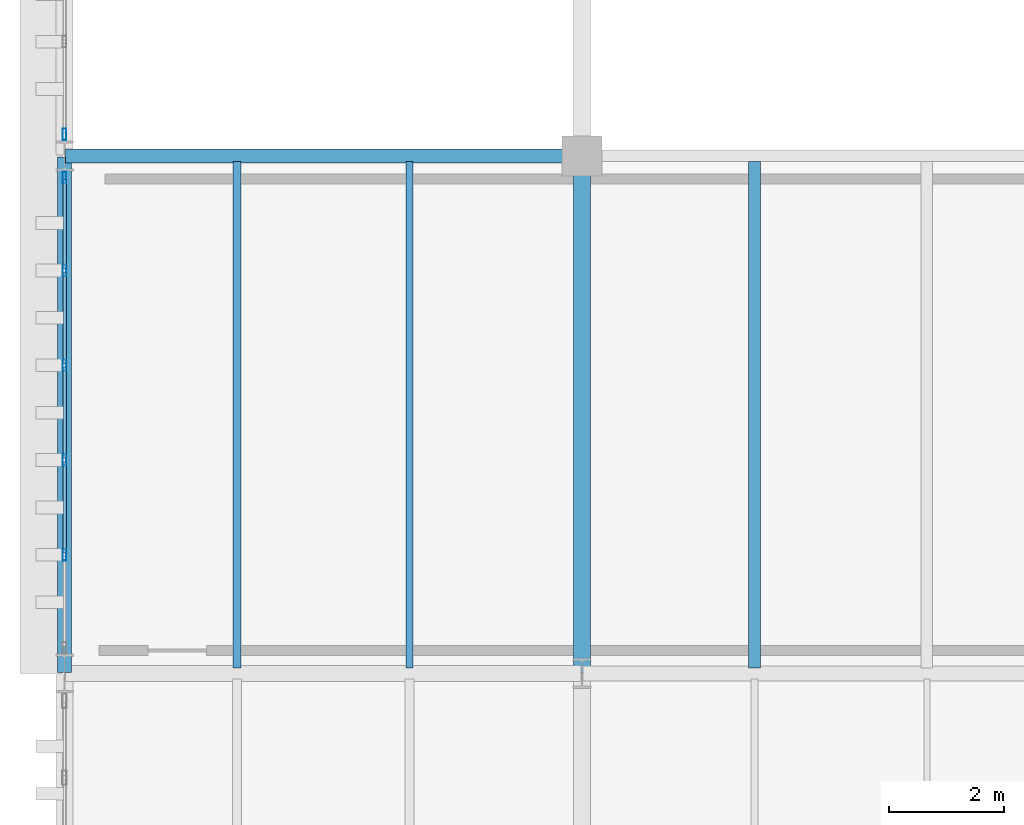
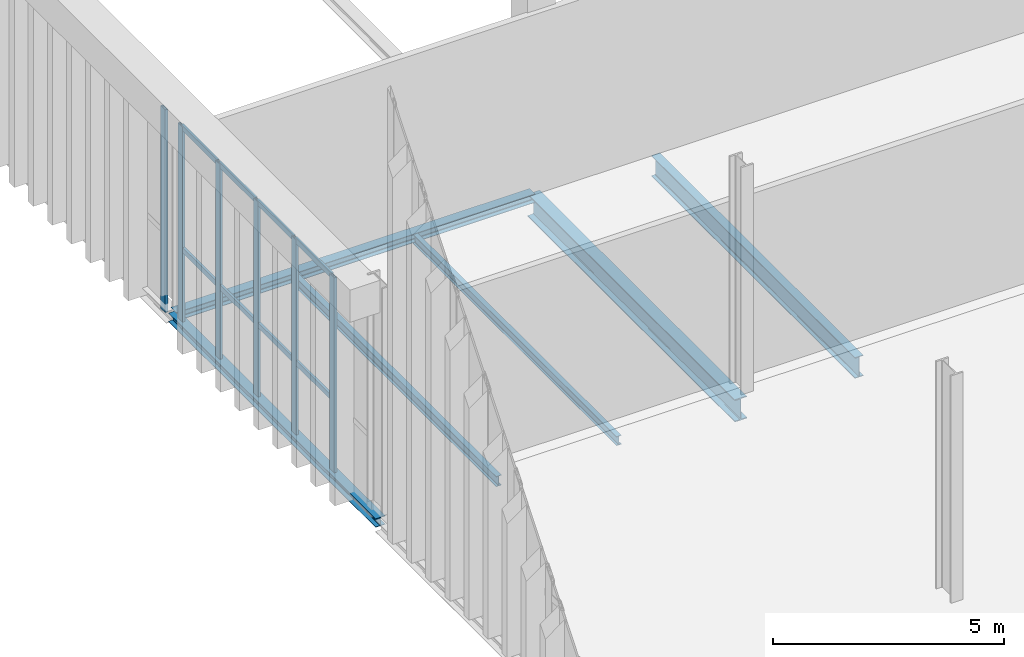
# One storey, part 65 of 237: 18 members, 6 beams, 2 elements without a shape of their own.
"""IFC4 building model written with IfcOpenShell, lengths in metres."""

from ifc_helpers import new_model, si_unit, direction, frame, origin, origin_2d, place, context, subcontext, project, spatial, hollow_rectangle, i_section, extrude, material, layer, layer_set, material_profile, profile_set, type_object, element, aggregate, save


model = new_model("IFC4")

# Units and contexts
model_context = context("Model", 3, precision=1e-05, world=origin(), true_north=direction((0.0, 1.0)))
body_context = subcontext(model_context, "Body", "Model", "MODEL_VIEW")
ifc_project = project(units=[si_unit("LENGTHUNIT", "METRE"), si_unit("AREAUNIT", "SQUARE_METRE"), si_unit("VOLUMEUNIT", "CUBIC_METRE"), si_unit("PLANEANGLEUNIT", "RADIAN"), si_unit("MASSUNIT", "GRAM", prefix="KILO")], contexts=[model_context])

# Site, building, storey
site_placement = place(None, origin())
site = spatial("IfcSite", under=ifc_project, at=site_placement, CompositionType="ELEMENT")
building_placement = place(site_placement, origin())
building = spatial("IfcBuilding", under=site, at=building_placement, Name="Barlavento Convention Centre", CompositionType="ELEMENT")
storey_placement = place(building_placement, frame((0.0, 0.0, 12.0)))
storey = spatial("IfcBuildingStorey", under=building, at=storey_placement, Name="L02", CompositionType="ELEMENT", Elevation=12.0)

# Curtain wall, members
ifc_material_1 = material(Name="Powder-coated aluminium and Low-E glass", Category="aluminium")
ifc_layer = layer(ifc_material_1, 0.18505859375)
ifc_layer_set = layer_set([ifc_layer], Name="ARC-CW-EXH-L02")
curtain_wall_type = type_object("IfcCurtainWallType", Name="ARC-CW-EXH-L02", PredefinedType="NOTDEFINED", material=ifc_layer_set)
curtain_wall_1_placement = place(storey_placement, origin())
curtain_wall_1 = element("IfcCurtainWall", 1, at=curtain_wall_1_placement, inside=storey, type_object=curtain_wall_type, Name="L02 unitised curtain wall CW05", PredefinedType="NOTDEFINED")
ifc_material_2 = material(Name="Powder-coated aluminium", Category="aluminium")
ifc_material_profile_1 = material_profile(ifc_material_2, hollow_rectangle(XDim=0.06494140625, YDim=0.199951171875, WallThickness=0.0048828125, at=origin_2d()), Name="AL-MULL 65x200x5")
ifc_profile_set_1 = profile_set([ifc_material_profile_1], Name="Powder-coated aluminium")
member_type_1 = type_object("IfcMemberType", Name="ARC-CWM-65X200", PredefinedType="MULLION", material=ifc_profile_set_1)
member_1_placement = place(storey_placement, frame((0.0, 56.062744140625, -0.5), z_axis=(0.0, 0.0, 1.0), x_axis=(-1.0, 0.0, 0.0)))
member_1 = element("IfcMember", 2, at=member_1_placement, type_object=member_type_1, Name="CW05 mullion 2", PredefinedType="MULLION", context=body_context, shape_type="SweptSolid", body=[
    extrude(hollow_rectangle(XDim=0.06494140625, YDim=0.199951171875, WallThickness=0.0048828125, at=origin_2d()), origin(), (0.0, 0.0, 1.0), 5.35009765625),
])
member_2_placement = place(storey_placement, frame((0.0, 57.711669921875, -0.5), z_axis=(0.0, 0.0, 1.0), x_axis=(-1.0, 0.0, 0.0)))
member_2 = element("IfcMember", 3, at=member_2_placement, type_object=member_type_1, Name="CW05 mullion 3", PredefinedType="MULLION", context=body_context, shape_type="SweptSolid", body=[
    extrude(hollow_rectangle(XDim=0.06494140625, YDim=0.199951171875, WallThickness=0.0048828125, at=origin_2d()), origin(), (0.0, 0.0, 1.0), 5.35009765625),
])
member_3_placement = place(storey_placement, frame((0.0, 59.3603515625, -0.5), z_axis=(0.0, 0.0, 1.0), x_axis=(-1.0, 0.0, 0.0)))
member_3 = element("IfcMember", 4, at=member_3_placement, type_object=member_type_1, Name="CW05 mullion 4", PredefinedType="MULLION", context=body_context, shape_type="SweptSolid", body=[
    extrude(hollow_rectangle(XDim=0.06494140625, YDim=0.199951171875, WallThickness=0.0048828125, at=origin_2d()), origin(), (0.0, 0.0, 1.0), 5.35009765625),
])
member_4_placement = place(storey_placement, frame((0.0, 61.00927734375, -0.5), z_axis=(0.0, 0.0, 1.0), x_axis=(-1.0, 0.0, 0.0)))
member_4 = element("IfcMember", 5, at=member_4_placement, type_object=member_type_1, Name="CW05 mullion 5", PredefinedType="MULLION", context=body_context, shape_type="SweptSolid", body=[
    extrude(hollow_rectangle(XDim=0.06494140625, YDim=0.199951171875, WallThickness=0.0048828125, at=origin_2d()), origin(), (0.0, 0.0, 1.0), 5.35009765625),
])
member_5_placement = place(storey_placement, frame((0.0, 62.62548828125, -0.5), z_axis=(0.0, 0.0, 1.0), x_axis=(-1.0, 0.0, 0.0)))
member_5 = element("IfcMember", 6, at=member_5_placement, type_object=member_type_1, Name="CW05 mullion 6", PredefinedType="MULLION", context=body_context, shape_type="SweptSolid", body=[
    extrude(hollow_rectangle(XDim=0.06494140625, YDim=0.199951171875, WallThickness=0.0048828125, at=origin_2d()), origin(), (0.0, 0.0, 1.0), 5.35009765625),
])

# Curtain wall, member
curtain_wall_2_placement = place(storey_placement, origin())
curtain_wall_2 = element("IfcCurtainWall", 7, at=curtain_wall_2_placement, inside=storey, type_object=curtain_wall_type, Name="L02 unitised curtain wall CW05", PredefinedType="NOTDEFINED")
member_6_placement = place(storey_placement, frame((0.0, 63.37451171875, -0.5), z_axis=(0.0, 0.0, 1.0), x_axis=(-1.0, 0.0, 0.0)))
member_6 = element("IfcMember", 8, at=member_6_placement, type_object=member_type_1, Name="CW05 mullion 1", PredefinedType="MULLION", context=body_context, shape_type="SweptSolid", body=[
    extrude(hollow_rectangle(XDim=0.06494140625, YDim=0.199951171875, WallThickness=0.0048828125, at=origin_2d()), origin(), (0.0, 0.0, 1.0), 5.35009765625),
])
aggregate(curtain_wall_2, [member_6])

# Member
ifc_material_profile_2 = material_profile(ifc_material_2, hollow_rectangle(XDim=0.06005859375, YDim=0.139892578125, WallThickness=0.00390625, at=origin_2d()), Name="AL-TRAN 60x140x4")
ifc_profile_set_2 = profile_set([ifc_material_profile_2], Name="Powder-coated aluminium")
member_type_2 = type_object("IfcMemberType", Name="ARC-CWT-60X140", PredefinedType="USERDEFINED", material=ifc_profile_set_2)
member_7_placement = place(storey_placement, frame((0.0, 56.09521484375, -0.469970703125), z_axis=(0.0, 1.0, 0.0), x_axis=(-1.0, 0.0, 0.0)))
member_7 = element("IfcMember", 9, at=member_7_placement, type_object=member_type_2, Name="CW05 transom 2.1", ObjectType="TRANSOM", PredefinedType="USERDEFINED", context=body_context, shape_type="SweptSolid", body=[
    extrude(hollow_rectangle(XDim=0.06005859375, YDim=0.139892578125, WallThickness=0.00390625, at=origin_2d()), origin(), (0.0, 0.0, 1.0), 1.583984375),
])

member_8_placement = place(storey_placement, frame((0.0, 56.09521484375, 1.60009765625), z_axis=(0.0, 1.0, 0.0), x_axis=(-1.0, 0.0, 0.0)))
member_8 = element("IfcMember", 10, at=member_8_placement, type_object=member_type_2, Name="CW05 transom 2.2", ObjectType="TRANSOM", PredefinedType="USERDEFINED", context=body_context, shape_type="SweptSolid", body=[
    extrude(hollow_rectangle(XDim=0.06005859375, YDim=0.139892578125, WallThickness=0.00390625, at=origin_2d()), origin(), (0.0, 0.0, 1.0), 1.583984375),
])

member_9_placement = place(storey_placement, frame((0.0, 56.09521484375, 4.820068359375), z_axis=(0.0, 1.0, 0.0), x_axis=(-1.0, 0.0, 0.0)))
member_9 = element("IfcMember", 11, at=member_9_placement, type_object=member_type_2, Name="CW05 transom 2.3", ObjectType="TRANSOM", PredefinedType="USERDEFINED", context=body_context, shape_type="SweptSolid", body=[
    extrude(hollow_rectangle(XDim=0.06005859375, YDim=0.139892578125, WallThickness=0.00390625, at=origin_2d()), origin(), (0.0, 0.0, 1.0), 1.583984375),
])

member_10_placement = place(storey_placement, frame((0.0, 57.744140625, -0.469970703125), z_axis=(0.0, 1.0, 0.0), x_axis=(-1.0, 0.0, 0.0)))
member_10 = element("IfcMember", 12, at=member_10_placement, type_object=member_type_2, Name="CW05 transom 3.1", ObjectType="TRANSOM", PredefinedType="USERDEFINED", context=body_context, shape_type="SweptSolid", body=[
    extrude(hollow_rectangle(XDim=0.06005859375, YDim=0.139892578125, WallThickness=0.00390625, at=origin_2d()), origin(), (0.0, 0.0, 1.0), 1.583740234375),
])

member_11_placement = place(storey_placement, frame((0.0, 57.744140625, 1.60009765625), z_axis=(0.0, 1.0, 0.0), x_axis=(-1.0, 0.0, 0.0)))
member_11 = element("IfcMember", 13, at=member_11_placement, type_object=member_type_2, Name="CW05 transom 3.2", ObjectType="TRANSOM", PredefinedType="USERDEFINED", context=body_context, shape_type="SweptSolid", body=[
    extrude(hollow_rectangle(XDim=0.06005859375, YDim=0.139892578125, WallThickness=0.00390625, at=origin_2d()), origin(), (0.0, 0.0, 1.0), 1.583740234375),
])

member_12_placement = place(storey_placement, frame((0.0, 57.744140625, 4.820068359375), z_axis=(0.0, 1.0, 0.0), x_axis=(-1.0, 0.0, 0.0)))
member_12 = element("IfcMember", 14, at=member_12_placement, type_object=member_type_2, Name="CW05 transom 3.3", ObjectType="TRANSOM", PredefinedType="USERDEFINED", context=body_context, shape_type="SweptSolid", body=[
    extrude(hollow_rectangle(XDim=0.06005859375, YDim=0.139892578125, WallThickness=0.00390625, at=origin_2d()), origin(), (0.0, 0.0, 1.0), 1.583740234375),
])

member_13_placement = place(storey_placement, frame((0.0, 59.392822265625, -0.469970703125), z_axis=(0.0, 1.0, 0.0), x_axis=(-1.0, 0.0, 0.0)))
member_13 = element("IfcMember", 15, at=member_13_placement, type_object=member_type_2, Name="CW05 transom 4.1", ObjectType="TRANSOM", PredefinedType="USERDEFINED", context=body_context, shape_type="SweptSolid", body=[
    extrude(hollow_rectangle(XDim=0.06005859375, YDim=0.139892578125, WallThickness=0.00390625, at=origin_2d()), origin(), (0.0, 0.0, 1.0), 1.583984375),
])

member_14_placement = place(storey_placement, frame((0.0, 59.392822265625, 1.60009765625), z_axis=(0.0, 1.0, 0.0), x_axis=(-1.0, 0.0, 0.0)))
member_14 = element("IfcMember", 16, at=member_14_placement, type_object=member_type_2, Name="CW05 transom 4.2", ObjectType="TRANSOM", PredefinedType="USERDEFINED", context=body_context, shape_type="SweptSolid", body=[
    extrude(hollow_rectangle(XDim=0.06005859375, YDim=0.139892578125, WallThickness=0.00390625, at=origin_2d()), origin(), (0.0, 0.0, 1.0), 1.583984375),
])

member_15_placement = place(storey_placement, frame((0.0, 59.392822265625, 4.820068359375), z_axis=(0.0, 1.0, 0.0), x_axis=(-1.0, 0.0, 0.0)))
member_15 = element("IfcMember", 17, at=member_15_placement, type_object=member_type_2, Name="CW05 transom 4.3", ObjectType="TRANSOM", PredefinedType="USERDEFINED", context=body_context, shape_type="SweptSolid", body=[
    extrude(hollow_rectangle(XDim=0.06005859375, YDim=0.139892578125, WallThickness=0.00390625, at=origin_2d()), origin(), (0.0, 0.0, 1.0), 1.583984375),
])

member_16_placement = place(storey_placement, frame((0.0, 61.041748046875, -0.469970703125), z_axis=(0.0, 1.0, 0.0), x_axis=(-1.0, 0.0, 0.0)))
member_16 = element("IfcMember", 18, at=member_16_placement, type_object=member_type_2, Name="CW05 transom 5.1", ObjectType="TRANSOM", PredefinedType="USERDEFINED", context=body_context, shape_type="SweptSolid", body=[
    extrude(hollow_rectangle(XDim=0.06005859375, YDim=0.139892578125, WallThickness=0.00390625, at=origin_2d()), origin(), (0.0, 0.0, 1.0), 1.55126953125),
])

member_17_placement = place(storey_placement, frame((0.0, 61.041748046875, 1.60009765625), z_axis=(0.0, 1.0, 0.0), x_axis=(-1.0, 0.0, 0.0)))
member_17 = element("IfcMember", 19, at=member_17_placement, type_object=member_type_2, Name="CW05 transom 5.2", ObjectType="TRANSOM", PredefinedType="USERDEFINED", context=body_context, shape_type="SweptSolid", body=[
    extrude(hollow_rectangle(XDim=0.06005859375, YDim=0.139892578125, WallThickness=0.00390625, at=origin_2d()), origin(), (0.0, 0.0, 1.0), 1.55126953125),
])

member_18_placement = place(storey_placement, frame((0.0, 61.041748046875, 4.820068359375), z_axis=(0.0, 1.0, 0.0), x_axis=(-1.0, 0.0, 0.0)))
member_18 = element("IfcMember", 20, at=member_18_placement, type_object=member_type_2, Name="CW05 transom 5.3", ObjectType="TRANSOM", PredefinedType="USERDEFINED", context=body_context, shape_type="SweptSolid", body=[
    extrude(hollow_rectangle(XDim=0.06005859375, YDim=0.139892578125, WallThickness=0.00390625, at=origin_2d()), origin(), (0.0, 0.0, 1.0), 1.55126953125),
])

aggregate(curtain_wall_1, [member_1, member_2, member_3, member_4, member_5, member_7, member_8, member_9, member_10, member_11, member_12, member_13, member_14, member_15, member_16, member_17, member_18])

# Beams
ifc_material_3 = material(Name="Steel S355", Category="steel")
ifc_material_profile_3 = material_profile(ifc_material_3, i_section(OverallWidth=0.1201171875, OverallDepth=0.239990234375, WebThickness=0.006103515625, FlangeThickness=0.009765625, FilletRadius=0.014892578125, at=origin_2d()), Name="IPE 240")
ifc_profile_set_3 = profile_set([ifc_material_profile_3], Name="Steel S355")
beam_type_1 = type_object("IfcBeamType", Name="STR-BM-JST-IPE240", PredefinedType="JOIST", material=ifc_profile_set_3)
beam_1_placement = place(storey_placement, frame((6.0, 54.094970703125, -0.419921875), z_axis=(0.0, 1.0, 0.0), x_axis=(-1.0, 0.0, 0.0)))
element("IfcBeam", 21, at=beam_1_placement, inside=storey, type_object=beam_type_1, Name="L02 composite floor joist SJ09", PredefinedType="JOIST", context=body_context, shape_type="SweptSolid", body=[
    extrude(i_section(OverallWidth=0.1201171875, OverallDepth=0.239990234375, WebThickness=0.006103515625, FlangeThickness=0.009765625, FilletRadius=0.014892578125, at=origin_2d()), origin(), (0.0, 0.0, 1.0), 8.81005859375),
])
ifc_material_profile_4 = material_profile(ifc_material_3, i_section(OverallWidth=0.135009765625, OverallDepth=0.27001953125, WebThickness=0.006591796875, FlangeThickness=0.01025390625, FilletRadius=0.014892578125, at=origin_2d()), Name="IPE 270")
ifc_profile_set_4 = profile_set([ifc_material_profile_4], Name="Steel S355")
beam_type_2 = type_object("IfcBeamType", Name="STR-BM-JST-IPE270", PredefinedType="JOIST", material=ifc_profile_set_4)
beam_2_placement = place(storey_placement, frame((3.0, 54.094970703125, -0.43505859375), z_axis=(0.0, 1.0, 0.0), x_axis=(-1.0, 0.0, 0.0)))
element("IfcBeam", 22, at=beam_2_placement, inside=storey, type_object=beam_type_2, Name="L02 composite floor joist SJ08", PredefinedType="JOIST", context=body_context, shape_type="SweptSolid", body=[
    extrude(i_section(OverallWidth=0.135009765625, OverallDepth=0.27001953125, WebThickness=0.006591796875, FlangeThickness=0.01025390625, FilletRadius=0.014892578125, at=origin_2d()), origin(), (0.0, 0.0, 1.0), 8.81005859375),
])
ifc_material_profile_5 = material_profile(ifc_material_3, i_section(OverallWidth=0.2099609375, OverallDepth=0.550048828125, WebThickness=0.010986328125, FlangeThickness=0.01708984375, FilletRadius=0.02392578125, at=origin_2d()), Name="IPE 550")
ifc_profile_set_5 = profile_set([ifc_material_profile_5], Name="Steel S355")
beam_type_3 = type_object("IfcBeamType", Name="STR-BM-JST-IPE550", PredefinedType="JOIST", material=ifc_profile_set_5)
beam_3_placement = place(storey_placement, frame((12.0, 54.094970703125, -0.574951171875), z_axis=(0.0, 1.0, 0.0), x_axis=(-1.0, 0.0, 0.0)))
element("IfcBeam", 23, at=beam_3_placement, inside=storey, type_object=beam_type_3, Name="L02 composite floor joist SJ01", PredefinedType="JOIST", context=body_context, shape_type="SweptSolid", body=[
    extrude(i_section(OverallWidth=0.2099609375, OverallDepth=0.550048828125, WebThickness=0.010986328125, FlangeThickness=0.01708984375, FilletRadius=0.02392578125, at=origin_2d()), origin(), (0.0, 0.0, 1.0), 8.81005859375),
])
ifc_material_profile_6 = material_profile(ifc_material_3, i_section(OverallWidth=0.300048828125, OverallDepth=0.590087890625, WebThickness=0.012939453125, FlangeThickness=0.02490234375, FilletRadius=0.027099609375, at=origin_2d()), Name="HEA 600")
ifc_profile_set_6 = profile_set([ifc_material_profile_6], Name="Steel S355")
beam_type_4 = type_object("IfcBeamType", Name="STR-BM-PRI-HEA600", PredefinedType="BEAM", material=ifc_profile_set_6)
beam_4_placement = place(storey_placement, frame((9.0, 54.02001953125, -0.594970703125), z_axis=(0.0, 1.0, 0.0), x_axis=(-1.0, 0.0, 0.0)))
element("IfcBeam", 24, at=beam_4_placement, inside=storey, type_object=beam_type_4, Name="L02 grid girder BG18", PredefinedType="BEAM", context=body_context, shape_type="SweptSolid", body=[
    extrude(i_section(OverallWidth=0.300048828125, OverallDepth=0.590087890625, WebThickness=0.012939453125, FlangeThickness=0.02490234375, FilletRadius=0.027099609375, at=origin_2d()), origin(), (0.0, 0.0, 1.0), 8.9599609375),
])
ifc_material_profile_7 = material_profile(ifc_material_3, i_section(OverallWidth=0.239990234375, OverallDepth=0.22998046875, WebThickness=0.007568359375, FlangeThickness=0.011962890625, FilletRadius=0.02099609375, at=origin_2d()), Name="HEA 240")
ifc_profile_set_7 = profile_set([ifc_material_profile_7], Name="Steel S355")
beam_type_5 = type_object("IfcBeamType", Name="STR-BM-SPN-HEA240", PredefinedType="SPANDREL", material=ifc_profile_set_7)
for number, where, z_axis, x_axis, name in (
    (25, (0.02001953125, 63.0, -0.39501953125), (1.0, 0.0, 0.0), (0.0, 1.0, 0.0), "L02 primary girder SP05"),
    (26, (0.0, 54.02001953125, -0.4150390625), (0.0, 1.0, 0.0), (-1.0, 0.0, 0.0), "L02 grid girder SP05"),
):
    element("IfcBeam", number, at=place(storey_placement, frame(where, z_axis=z_axis, x_axis=x_axis)), inside=storey, type_object=beam_type_5, Name=name, PredefinedType="SPANDREL", context=body_context, shape_type="SweptSolid", body=[
        extrude(i_section(OverallWidth=0.239990234375, OverallDepth=0.22998046875, WebThickness=0.007568359375, FlangeThickness=0.011962890625, FilletRadius=0.02099609375, at=origin_2d()), origin(), (0.0, 0.0, 1.0), 8.9599609375),
    ])

save(model, "model.ifc")
